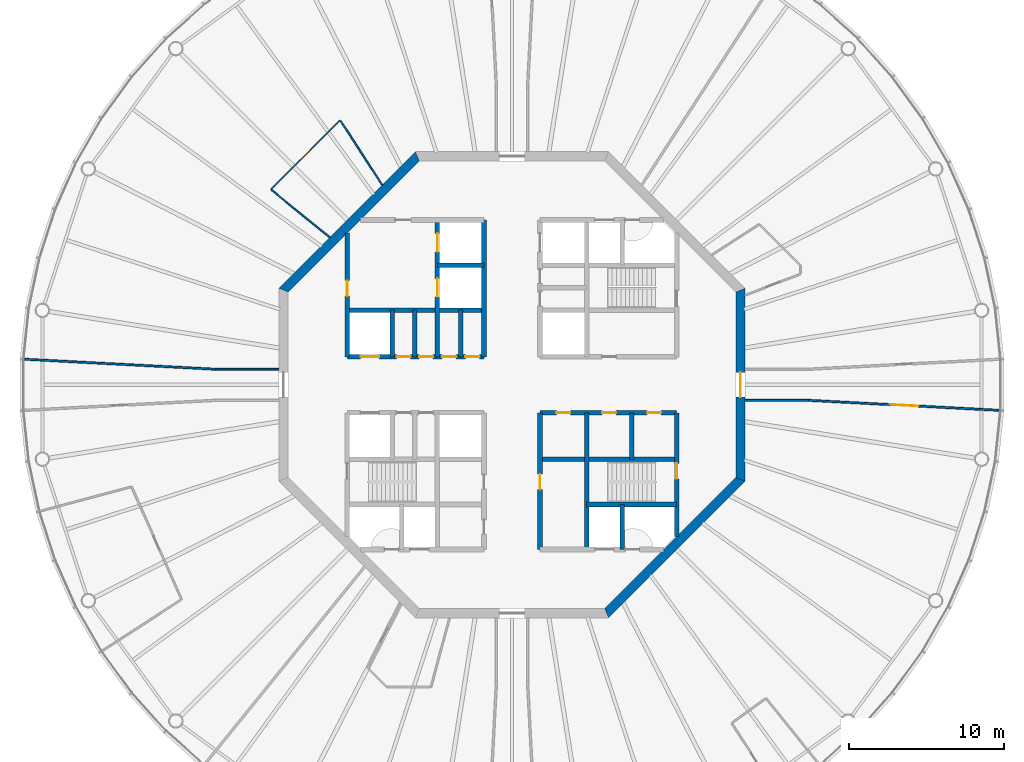
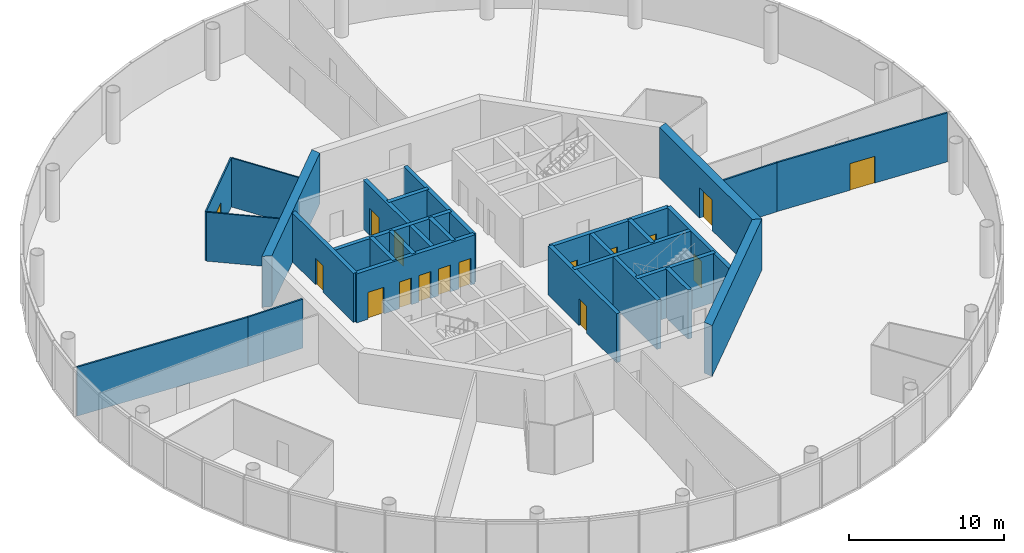
# One storey, part 4 of 13: 27 walls, 16 doors, 16 openings.
"""IFC4 building model written with IfcOpenShell, lengths in metres."""

from ifc_helpers import new_model, si_unit, direction, frame, frame_2d, origin, place, context, subcontext, project, spatial, polyline, rectangle, outline, extrude, material, layer, layer_set, type_object, element, fill, save


model = new_model("IFC4")

# Units and contexts
model_context = context("Model", 3, precision=1e-05, world=origin(), true_north=direction((0.0, 1.0)))
body_context = subcontext(model_context, "Body", "Model", "MODEL_VIEW")
ifc_project = project(units=[si_unit("LENGTHUNIT", "METRE"), si_unit("AREAUNIT", "SQUARE_METRE"), si_unit("VOLUMEUNIT", "CUBIC_METRE"), si_unit("PLANEANGLEUNIT", "RADIAN"), si_unit("MASSUNIT", "GRAM", prefix="KILO")], contexts=[model_context])

# Site, building, storey
site_placement = place(None, origin())
site = spatial("IfcSite", under=ifc_project, at=site_placement, CompositionType="ELEMENT")
building_placement = place(site_placement, origin())
building = spatial("IfcBuilding", under=site, at=building_placement, Name="Entoto Ring Tower", CompositionType="ELEMENT")
storey_placement = place(building_placement, frame((0.0, 0.0, 376.0)))
storey = spatial("IfcBuildingStorey", under=building, at=storey_placement, Name="L87", CompositionType="ELEMENT", Elevation=376.0)

# Wall, opening, door
ifc_material_1 = material(Name="Concrete C40/50", Category="concrete")
ifc_layer_1 = layer(ifc_material_1, 0.300048828125)
ifc_layer_set_1 = layer_set([ifc_layer_1], Name="Concrete C40/50")
wall_type_1 = type_object("IfcWallType", Name="Core enclosure wall 300 mm reinforced concrete", PredefinedType="SOLIDWALL", material=ifc_layer_set_1)
wall_1_placement = place(storey_placement, frame((100.60009765625, 70.2353515625, 0.0), z_axis=(0.0, 0.0, 1.0), x_axis=(0.0, 1.0, 0.0)))
wall_1 = element("IfcWall", 1, at=wall_1_placement, inside=storey, type_object=wall_type_1, Name="wall-L87-001", PredefinedType="SOLIDWALL", context=body_context, shape_type="SweptSolid", body=[
    extrude(rectangle(XDim=7.964599609375, YDim=0.300048828125, at=frame_2d((3.982421875, 0.0))), origin(), (0.0, 0.0, 1.0), 3.85009765625),
])
opening_1_placement = place(wall_1_placement, frame((3.714599609375, 0.0, 0.0)))
opening_1 = element("IfcOpeningElement", 2, at=opening_1_placement, cuts=wall_1, Name="Opening K-28", PredefinedType="OPENING", context=body_context, shape_type="SweptSolid", body=[
    extrude(rectangle(XDim=1.0, YDim=2.10009765625, at=frame_2d((0.5, 1.050048828125))), frame((0.0, 0.16015625, 0.0), z_axis=(0.0, -1.0, 0.0), x_axis=(1.0, 0.0, 0.0)), (0.0, 0.0, 1.0), 0.320068359375),
])
ifc_material_2 = material(Name="Steel door leaf, fire rated", Category="steel")
ifc_layer_2 = layer(ifc_material_2, 0.050048828125)
ifc_layer_set_2 = layer_set([ifc_layer_2], Name="Steel door leaf, fire rated")
door_type_1 = type_object("IfcDoorType", Name="Fire door FD60 1000 x 2100 single leaf", OperationType="NOTDEFINED", PredefinedType="DOOR", material=ifc_layer_set_2)
door_1_placement = place(opening_1_placement, origin())
door_1 = element("IfcDoor", 3, at=door_1_placement, inside=storey, type_object=door_type_1, Name="Door K-28", OperationType="SINGLE_SWING_RIGHT", OverallHeight=2.10009765625, OverallWidth=1.0, PredefinedType="DOOR", context=body_context, shape_type="SweptSolid", body=[
    extrude(rectangle(XDim=1.0, YDim=2.10009765625, at=frame_2d((0.5, 1.050048828125))), frame((0.0, 0.02490234375, 0.0), z_axis=(0.0, -1.0, 0.0), x_axis=(1.0, 0.0, 0.0)), (0.0, 0.0, 1.0), 0.050048828125),
])
fill(opening_1, door_1)

# Walls
wall_2_placement = place(storey_placement, frame((97.699951171875, 75.199951171875, 0.0), z_axis=(0.0, 0.0, 1.0), x_axis=(0.0, 1.0, 0.0)))
element("IfcWall", 4, at=wall_2_placement, inside=storey, type_object=wall_type_1, Name="wall-L87-003", PredefinedType="SOLIDWALL", context=body_context, shape_type="SweptSolid", body=[
    extrude(rectangle(XDim=3.0, YDim=0.300048828125, at=frame_2d((1.5, 0.0))), origin(), (0.0, 0.0, 1.0), 3.85009765625),
])
wall_3_placement = place(storey_placement, frame((97.10009765625, 69.39990234375, 0.0), z_axis=(0.0, 0.0, 1.0), x_axis=(0.0, 1.0, 0.0)))
element("IfcWall", 5, at=wall_3_placement, inside=storey, type_object=wall_type_1, Name="wall-L87-004", PredefinedType="SOLIDWALL", context=body_context, shape_type="SweptSolid", body=[
    extrude(rectangle(XDim=2.900146484375, YDim=0.300048828125, at=frame_2d((1.4501953125, 0.0))), origin(), (0.0, 0.0, 1.0), 3.85009765625),
])
wall_4_placement = place(storey_placement, frame((94.800048828125, 69.39990234375, 0.0), z_axis=(0.0, 0.0, 1.0), x_axis=(0.0, 1.0, 0.0)))
element("IfcWall", 6, at=wall_4_placement, inside=storey, type_object=wall_type_1, Name="wall-L87-006", PredefinedType="SOLIDWALL", context=body_context, shape_type="SweptSolid", body=[
    extrude(rectangle(XDim=8.800048828125, YDim=0.300048828125, at=frame_2d((4.39990234375, 0.0))), origin(), (0.0, 0.0, 1.0), 3.85009765625),
])

# Wall, opening, door
wall_5_placement = place(storey_placement, frame((91.800048828125, 69.39990234375, 0.0), z_axis=(0.0, 0.0, 1.0), x_axis=(0.0, 1.0, 0.0)))
wall_5 = element("IfcWall", 7, at=wall_5_placement, inside=storey, type_object=wall_type_1, Name="wall-L87-008", PredefinedType="SOLIDWALL", context=body_context, shape_type="SweptSolid", body=[
    extrude(rectangle(XDim=8.800048828125, YDim=0.300048828125, at=frame_2d((4.39990234375, 0.0))), origin(), (0.0, 0.0, 1.0), 3.85009765625),
])
opening_2_placement = place(wall_5_placement, frame((3.85009765625, 0.0, 0.0)))
opening_2 = element("IfcOpeningElement", 8, at=opening_2_placement, cuts=wall_5, Name="Opening K-64", PredefinedType="OPENING", context=body_context, shape_type="SweptSolid", body=[
    extrude(rectangle(XDim=1.0, YDim=2.10009765625, at=frame_2d((0.5, 1.050048828125))), frame((0.0, 0.16015625, 0.0), z_axis=(0.0, -1.0, 0.0), x_axis=(1.0, 0.0, 0.0)), (0.0, 0.0, 1.0), 0.320068359375),
])
ifc_material_3 = material(Name="Steel door leaf, fire rated", Category="steel")
ifc_layer_3 = layer(ifc_material_3, 0.050048828125)
ifc_layer_set_3 = layer_set([ifc_layer_3], Name="Steel door leaf, fire rated")
door_type_2 = type_object("IfcDoorType", Name="Accessible door 1000 x 2100 single leaf", OperationType="NOTDEFINED", PredefinedType="DOOR", material=ifc_layer_set_3)
door_2_placement = place(opening_2_placement, frame((1.0, 0.0, 0.0), z_axis=(0.0, 0.0, 1.0), x_axis=(-1.0, 0.0, 0.0)))
door_2 = element("IfcDoor", 9, at=door_2_placement, inside=storey, type_object=door_type_2, Name="Door K-64", OperationType="SINGLE_SWING_LEFT", OverallHeight=2.10009765625, OverallWidth=1.0, PredefinedType="DOOR", context=body_context, shape_type="SweptSolid", body=[
    extrude(rectangle(XDim=1.0, YDim=2.10009765625, at=frame_2d((0.5, 1.050048828125))), frame((0.0, 0.02490234375, 0.0), z_axis=(0.0, -1.0, 0.0), x_axis=(1.0, 0.0, 0.0)), (0.0, 0.0, 1.0), 0.050048828125),
])
fill(opening_2, door_2)

# Walls
wall_6_placement = place(storey_placement, frame((88.199951171875, 81.800048828125, 0.0), z_axis=(0.0, 0.0, 1.0), x_axis=(0.0, 1.0, 0.0)))
element("IfcWall", 10, at=wall_6_placement, inside=storey, type_object=wall_type_1, Name="wall-L87-011", PredefinedType="SOLIDWALL", context=body_context, shape_type="SweptSolid", body=[
    extrude(rectangle(XDim=8.800048828125, YDim=0.300048828125, at=frame_2d((4.39990234375, 0.0))), origin(), (0.0, 0.0, 1.0), 3.85009765625),
])
wall_7_placement = place(storey_placement, frame((86.699951171875, 81.800048828125, 0.0), z_axis=(0.0, 0.0, 1.0), x_axis=(0.0, 1.0, 0.0)))
element("IfcWall", 11, at=wall_7_placement, inside=storey, type_object=wall_type_1, Name="wall-L87-012", PredefinedType="SOLIDWALL", context=body_context, shape_type="SweptSolid", body=[
    extrude(rectangle(XDim=3.0, YDim=0.300048828125, at=frame_2d((1.5, 0.0))), origin(), (0.0, 0.0, 1.0), 3.85009765625),
])

# Wall, openings, doors
wall_8_placement = place(storey_placement, frame((85.199951171875, 81.800048828125, 0.0), z_axis=(0.0, 0.0, 1.0), x_axis=(0.0, 1.0, 0.0)))
wall_8 = element("IfcWall", 12, at=wall_8_placement, inside=storey, type_object=wall_type_1, Name="wall-L87-014", PredefinedType="SOLIDWALL", context=body_context, shape_type="SweptSolid", body=[
    extrude(rectangle(XDim=8.800048828125, YDim=0.300048828125, at=frame_2d((4.39990234375, 0.0))), origin(), (0.0, 0.0, 1.0), 3.85009765625),
])
opening_3_placement = place(wall_8_placement, frame((3.85009765625, 0.0, 0.0)))
opening_3 = element("IfcOpeningElement", 13, at=opening_3_placement, cuts=wall_8, Name="Opening LD", PredefinedType="OPENING", context=body_context, shape_type="SweptSolid", body=[
    extrude(rectangle(XDim=1.199951171875, YDim=2.10009765625, at=frame_2d((0.60009765625, 1.050048828125))), frame((0.0, 0.16015625, 0.0), z_axis=(0.0, -1.0, 0.0), x_axis=(1.0, 0.0, 0.0)), (0.0, 0.0, 1.0), 0.320068359375),
])
opening_4_placement = place(wall_8_placement, frame((6.75, 0.0, 0.0)))
opening_4 = element("IfcOpeningElement", 14, at=opening_4_placement, cuts=wall_8, Name="Opening LD", PredefinedType="OPENING", context=body_context, shape_type="SweptSolid", body=[
    extrude(rectangle(XDim=1.199951171875, YDim=2.10009765625, at=frame_2d((0.60009765625, 1.050048828125))), frame((0.0, 0.16015625, 0.0), z_axis=(0.0, -1.0, 0.0), x_axis=(1.0, 0.0, 0.0)), (0.0, 0.0, 1.0), 0.320068359375),
])
ifc_material_4 = material(Name="Steel and glass door leaf", Category="steel")
ifc_layer_4 = layer(ifc_material_4, 0.050048828125)
ifc_layer_set_4 = layer_set([ifc_layer_4], Name="Steel and glass door leaf")
door_type_3 = type_object("IfcDoorType", Name="Landing door 1200 x 2100 sliding", OperationType="DOUBLE_DOOR_SLIDING", PredefinedType="DOOR", material=ifc_layer_set_4)
door_3_placement = place(opening_3_placement, origin())
door_3 = element("IfcDoor", 15, at=door_3_placement, inside=storey, type_object=door_type_3, Name="Landing door FF1", OperationType="SLIDING_TO_RIGHT", OverallHeight=2.10009765625, OverallWidth=1.199951171875, PredefinedType="DOOR", context=body_context, shape_type="SweptSolid", body=[
    extrude(rectangle(XDim=1.199951171875, YDim=2.10009765625, at=frame_2d((0.60009765625, 1.050048828125))), frame((0.0, 0.02490234375, 0.0), z_axis=(0.0, -1.0, 0.0), x_axis=(1.0, 0.0, 0.0)), (0.0, 0.0, 1.0), 0.050048828125),
])
fill(opening_3, door_3)
door_4_placement = place(opening_4_placement, origin())
door_4 = element("IfcDoor", 16, at=door_4_placement, inside=storey, type_object=door_type_3, Name="Landing door FF2", OperationType="SLIDING_TO_RIGHT", OverallHeight=2.10009765625, OverallWidth=1.199951171875, PredefinedType="DOOR", context=body_context, shape_type="SweptSolid", body=[
    extrude(rectangle(XDim=1.199951171875, YDim=2.10009765625, at=frame_2d((0.60009765625, 1.050048828125))), frame((0.0, 0.02490234375, 0.0), z_axis=(0.0, -1.0, 0.0), x_axis=(1.0, 0.0, 0.0)), (0.0, 0.0, 1.0), 0.050048828125),
])
fill(opening_4, door_4)

# Walls
for number, where, z_axis, x_axis, name in (
    (17, (83.75, 81.800048828125, 0.0), (0.0, 0.0, 1.0), (0.0, 1.0, 0.0), "wall-L87-016"),
    (18, (82.300048828125, 81.800048828125, 0.0), (0.0, 0.0, 1.0), (0.0, 1.0, 0.0), "wall-L87-019"),
):
    element("IfcWall", number, at=place(storey_placement, frame(where, z_axis=z_axis, x_axis=x_axis)), inside=storey, type_object=wall_type_1, Name=name, PredefinedType="SOLIDWALL", context=body_context, shape_type="SweptSolid", body=[
        extrude(rectangle(XDim=3.0, YDim=0.300048828125, at=frame_2d((1.5, 0.0))), origin(), (0.0, 0.0, 1.0), 3.85009765625),
    ])

# Wall, opening, door
wall_9_placement = place(storey_placement, frame((79.39990234375, 81.800048828125, 0.0), z_axis=(0.0, 0.0, 1.0), x_axis=(0.0, 1.0, 0.0)))
wall_9 = element("IfcWall", 19, at=wall_9_placement, inside=storey, type_object=wall_type_1, Name="wall-L87-021", PredefinedType="SOLIDWALL", context=body_context, shape_type="SweptSolid", body=[
    extrude(rectangle(XDim=7.964599609375, YDim=0.300048828125, at=frame_2d((3.982421875, 0.0))), origin(), (0.0, 0.0, 1.0), 3.85009765625),
])
opening_5_placement = place(wall_9_placement, frame((3.89990234375, 0.0, 0.0)))
opening_5 = element("IfcOpeningElement", 20, at=opening_5_placement, cuts=wall_9, Name="Opening K-86", PredefinedType="OPENING", context=body_context, shape_type="SweptSolid", body=[
    extrude(rectangle(XDim=1.0, YDim=2.10009765625, at=frame_2d((0.5, 1.050048828125))), frame((0.0, 0.16015625, 0.0), z_axis=(0.0, -1.0, 0.0), x_axis=(1.0, 0.0, 0.0)), (0.0, 0.0, 1.0), 0.320068359375),
])
door_5_placement = place(opening_5_placement, frame((1.0, 0.0, 0.0), z_axis=(0.0, 0.0, 1.0), x_axis=(-1.0, 0.0, 0.0)))
door_5 = element("IfcDoor", 21, at=door_5_placement, inside=storey, type_object=door_type_1, Name="Door K-86", OperationType="SINGLE_SWING_RIGHT", OverallHeight=2.10009765625, OverallWidth=1.0, PredefinedType="DOOR", context=body_context, shape_type="SweptSolid", body=[
    extrude(rectangle(XDim=1.0, YDim=2.10009765625, at=frame_2d((0.5, 1.050048828125))), frame((0.0, 0.02490234375, 0.0), z_axis=(0.0, -1.0, 0.0), x_axis=(1.0, 0.0, 0.0)), (0.0, 0.0, 1.0), 0.050048828125),
])
fill(opening_5, door_5)

# Walls
wall_10_placement = place(storey_placement, frame((94.800048828125, 72.300048828125, 0.0), z_axis=(0.0, 0.0, 1.0), x_axis=(1.0, 0.0, 0.0)))
element("IfcWall", 22, at=wall_10_placement, inside=storey, type_object=wall_type_1, Name="wall-L87-025", PredefinedType="SOLIDWALL", context=body_context, shape_type="SweptSolid", body=[
    extrude(rectangle(XDim=5.800048828125, YDim=0.300048828125, at=frame_2d((2.89990234375, 0.0))), origin(), (0.0, 0.0, 1.0), 3.85009765625),
])
wall_11_placement = place(storey_placement, frame((91.800048828125, 75.199951171875, 0.0), z_axis=(0.0, 0.0, 1.0), x_axis=(1.0, 0.0, 0.0)))
element("IfcWall", 23, at=wall_11_placement, inside=storey, type_object=wall_type_1, Name="wall-L87-027", PredefinedType="SOLIDWALL", context=body_context, shape_type="SweptSolid", body=[
    extrude(rectangle(XDim=8.800048828125, YDim=0.300048828125, at=frame_2d((4.39990234375, 0.0))), origin(), (0.0, 0.0, 1.0), 3.85009765625),
])

# Wall, openings, doors
wall_12_placement = place(storey_placement, frame((91.800048828125, 78.199951171875, 0.0), z_axis=(0.0, 0.0, 1.0), x_axis=(1.0, 0.0, 0.0)))
wall_12 = element("IfcWall", 24, at=wall_12_placement, inside=storey, type_object=wall_type_1, Name="wall-L87-029", PredefinedType="SOLIDWALL", context=body_context, shape_type="SweptSolid", body=[
    extrude(rectangle(XDim=8.800048828125, YDim=0.300048828125, at=frame_2d((4.39990234375, 0.0))), origin(), (0.0, 0.0, 1.0), 3.85009765625),
])
opening_6_placement = place(wall_12_placement, frame((4.0, 0.0, 0.0)))
opening_6 = element("IfcOpeningElement", 25, at=opening_6_placement, cuts=wall_12, Name="Opening K-14", PredefinedType="OPENING", context=body_context, shape_type="SweptSolid", body=[
    extrude(rectangle(XDim=0.89990234375, YDim=2.10009765625, at=frame_2d((0.449951171875, 1.050048828125))), frame((0.0, 0.16015625, 0.0), z_axis=(0.0, -1.0, 0.0), x_axis=(1.0, 0.0, 0.0)), (0.0, 0.0, 1.0), 0.320068359375),
])
opening_7_placement = place(wall_12_placement, frame((6.89990234375, 0.0, 0.0)))
opening_7 = element("IfcOpeningElement", 26, at=opening_7_placement, cuts=wall_12, Name="Opening K-15", PredefinedType="OPENING", context=body_context, shape_type="SweptSolid", body=[
    extrude(rectangle(XDim=0.89990234375, YDim=2.10009765625, at=frame_2d((0.449951171875, 1.050048828125))), frame((0.0, 0.16015625, 0.0), z_axis=(0.0, -1.0, 0.0), x_axis=(1.0, 0.0, 0.0)), (0.0, 0.0, 1.0), 0.320068359375),
])
opening_8_placement = place(wall_12_placement, frame((1.050048828125, 0.0, 0.0)))
opening_8 = element("IfcOpeningElement", 27, at=opening_8_placement, cuts=wall_12, Name="Opening K-25", PredefinedType="OPENING", context=body_context, shape_type="SweptSolid", body=[
    extrude(rectangle(XDim=0.89990234375, YDim=2.10009765625, at=frame_2d((0.449951171875, 1.050048828125))), frame((0.0, 0.16015625, 0.0), z_axis=(0.0, -1.0, 0.0), x_axis=(1.0, 0.0, 0.0)), (0.0, 0.0, 1.0), 0.320068359375),
])
ifc_material_5 = material(Name="Steel door leaf, fire rated", Category="steel")
ifc_layer_5 = layer(ifc_material_5, 0.050048828125)
ifc_layer_set_5 = layer_set([ifc_layer_5], Name="Steel door leaf, fire rated")
door_type_4 = type_object("IfcDoorType", Name="Core door 900 x 2100 single leaf", OperationType="NOTDEFINED", PredefinedType="DOOR", material=ifc_layer_set_5)
door_6_placement = place(opening_6_placement, frame((0.89990234375, 0.0, 0.0), z_axis=(0.0, 0.0, 1.0), x_axis=(-1.0, 0.0, 0.0)))
door_6 = element("IfcDoor", 28, at=door_6_placement, inside=storey, type_object=door_type_4, Name="Door K-14", OperationType="SINGLE_SWING_RIGHT", OverallHeight=2.10009765625, OverallWidth=0.89990234375, PredefinedType="DOOR", context=body_context, shape_type="SweptSolid", body=[
    extrude(rectangle(XDim=0.89990234375, YDim=2.10009765625, at=frame_2d((0.449951171875, 1.050048828125))), frame((0.0, 0.02490234375, 0.0), z_axis=(0.0, -1.0, 0.0), x_axis=(1.0, 0.0, 0.0)), (0.0, 0.0, 1.0), 0.050048828125),
])
fill(opening_6, door_6)
door_7_placement = place(opening_7_placement, frame((0.89990234375, 0.0, 0.0), z_axis=(0.0, 0.0, 1.0), x_axis=(-1.0, 0.0, 0.0)))
door_7 = element("IfcDoor", 29, at=door_7_placement, inside=storey, type_object=door_type_4, Name="Door K-15", OperationType="SINGLE_SWING_LEFT", OverallHeight=2.10009765625, OverallWidth=0.89990234375, PredefinedType="DOOR", context=body_context, shape_type="SweptSolid", body=[
    extrude(rectangle(XDim=0.89990234375, YDim=2.10009765625, at=frame_2d((0.449951171875, 1.050048828125))), frame((0.0, 0.02490234375, 0.0), z_axis=(0.0, -1.0, 0.0), x_axis=(1.0, 0.0, 0.0)), (0.0, 0.0, 1.0), 0.050048828125),
])
fill(opening_7, door_7)
door_8_placement = place(opening_8_placement, frame((0.89990234375, 0.0, 0.0), z_axis=(0.0, 0.0, 1.0), x_axis=(-1.0, 0.0, 0.0)))
door_8 = element("IfcDoor", 30, at=door_8_placement, inside=storey, type_object=door_type_4, Name="Door K-25", OperationType="SINGLE_SWING_RIGHT", OverallHeight=2.10009765625, OverallWidth=0.89990234375, PredefinedType="DOOR", context=body_context, shape_type="SweptSolid", body=[
    extrude(rectangle(XDim=0.89990234375, YDim=2.10009765625, at=frame_2d((0.449951171875, 1.050048828125))), frame((0.0, 0.02490234375, 0.0), z_axis=(0.0, -1.0, 0.0), x_axis=(1.0, 0.0, 0.0)), (0.0, 0.0, 1.0), 0.050048828125),
])
fill(opening_8, door_8)

wall_13_placement = place(storey_placement, frame((79.39990234375, 81.800048828125, 0.0), z_axis=(0.0, 0.0, 1.0), x_axis=(1.0, 0.0, 0.0)))
wall_13 = element("IfcWall", 31, at=wall_13_placement, inside=storey, type_object=wall_type_1, Name="wall-L87-030", PredefinedType="SOLIDWALL", context=body_context, shape_type="SweptSolid", body=[
    extrude(rectangle(XDim=8.800048828125, YDim=0.300048828125, at=frame_2d((4.39990234375, 0.0))), origin(), (0.0, 0.0, 1.0), 3.85009765625),
])
opening_9_placement = place(wall_13_placement, frame((0.85009765625, 0.0, 0.0)))
opening_9 = element("IfcOpeningElement", 32, at=opening_9_placement, cuts=wall_13, Name="Opening LD", PredefinedType="OPENING", context=body_context, shape_type="SweptSolid", body=[
    extrude(rectangle(XDim=1.199951171875, YDim=2.10009765625, at=frame_2d((0.60009765625, 1.050048828125))), frame((0.0, 0.16015625, 0.0), z_axis=(0.0, -1.0, 0.0), x_axis=(1.0, 0.0, 0.0)), (0.0, 0.0, 1.0), 0.320068359375),
])
opening_10_placement = place(wall_13_placement, frame((3.175048828125, 0.0, 0.0)))
opening_10 = element("IfcOpeningElement", 33, at=opening_10_placement, cuts=wall_13, Name="Opening K-12", PredefinedType="OPENING", context=body_context, shape_type="SweptSolid", body=[
    extrude(rectangle(XDim=0.89990234375, YDim=2.10009765625, at=frame_2d((0.449951171875, 1.050048828125))), frame((0.0, 0.16015625, 0.0), z_axis=(0.0, -1.0, 0.0), x_axis=(1.0, 0.0, 0.0)), (0.0, 0.0, 1.0), 0.320068359375),
])
opening_11_placement = place(wall_13_placement, frame((4.625, 0.0, 0.0)))
opening_11 = element("IfcOpeningElement", 34, at=opening_11_placement, cuts=wall_13, Name="Opening K-46", PredefinedType="OPENING", context=body_context, shape_type="SweptSolid", body=[
    extrude(rectangle(XDim=0.89990234375, YDim=2.10009765625, at=frame_2d((0.449951171875, 1.050048828125))), frame((0.0, 0.16015625, 0.0), z_axis=(0.0, -1.0, 0.0), x_axis=(1.0, 0.0, 0.0)), (0.0, 0.0, 1.0), 0.320068359375),
])
opening_12_placement = place(wall_13_placement, frame((6.10009765625, 0.0, 0.0)))
opening_12 = element("IfcOpeningElement", 35, at=opening_12_placement, cuts=wall_13, Name="Opening K-71", PredefinedType="OPENING", context=body_context, shape_type="SweptSolid", body=[
    extrude(rectangle(XDim=0.89990234375, YDim=2.10009765625, at=frame_2d((0.449951171875, 1.050048828125))), frame((0.0, 0.16015625, 0.0), z_axis=(0.0, -1.0, 0.0), x_axis=(1.0, 0.0, 0.0)), (0.0, 0.0, 1.0), 0.320068359375),
])
opening_13_placement = place(wall_13_placement, frame((7.60009765625, 0.0, 0.0)))
opening_13 = element("IfcOpeningElement", 36, at=opening_13_placement, cuts=wall_13, Name="Opening K-24", PredefinedType="OPENING", context=body_context, shape_type="SweptSolid", body=[
    extrude(rectangle(XDim=0.89990234375, YDim=2.10009765625, at=frame_2d((0.449951171875, 1.050048828125))), frame((0.0, 0.16015625, 0.0), z_axis=(0.0, -1.0, 0.0), x_axis=(1.0, 0.0, 0.0)), (0.0, 0.0, 1.0), 0.320068359375),
])
door_9_placement = place(opening_10_placement, origin())
door_9 = element("IfcDoor", 37, at=door_9_placement, inside=storey, type_object=door_type_4, Name="Door K-12", OperationType="SINGLE_SWING_RIGHT", OverallHeight=2.10009765625, OverallWidth=0.89990234375, PredefinedType="DOOR", context=body_context, shape_type="SweptSolid", body=[
    extrude(rectangle(XDim=0.89990234375, YDim=2.10009765625, at=frame_2d((0.449951171875, 1.050048828125))), frame((0.0, 0.02490234375, 0.0), z_axis=(0.0, -1.0, 0.0), x_axis=(1.0, 0.0, 0.0)), (0.0, 0.0, 1.0), 0.050048828125),
])
fill(opening_10, door_9)
door_10_placement = place(opening_11_placement, origin())
door_10 = element("IfcDoor", 38, at=door_10_placement, inside=storey, type_object=door_type_4, Name="Door K-46", OperationType="SINGLE_SWING_RIGHT", OverallHeight=2.10009765625, OverallWidth=0.89990234375, PredefinedType="DOOR", context=body_context, shape_type="SweptSolid", body=[
    extrude(rectangle(XDim=0.89990234375, YDim=2.10009765625, at=frame_2d((0.449951171875, 1.050048828125))), frame((0.0, 0.02490234375, 0.0), z_axis=(0.0, -1.0, 0.0), x_axis=(1.0, 0.0, 0.0)), (0.0, 0.0, 1.0), 0.050048828125),
])
fill(opening_11, door_10)
door_11_placement = place(opening_12_placement, origin())
door_11 = element("IfcDoor", 39, at=door_11_placement, inside=storey, type_object=door_type_4, Name="Door K-71", OperationType="SINGLE_SWING_LEFT", OverallHeight=2.10009765625, OverallWidth=0.89990234375, PredefinedType="DOOR", context=body_context, shape_type="SweptSolid", body=[
    extrude(rectangle(XDim=0.89990234375, YDim=2.10009765625, at=frame_2d((0.449951171875, 1.050048828125))), frame((0.0, 0.02490234375, 0.0), z_axis=(0.0, -1.0, 0.0), x_axis=(1.0, 0.0, 0.0)), (0.0, 0.0, 1.0), 0.050048828125),
])
fill(opening_12, door_11)
door_12_placement = place(opening_13_placement, origin())
door_12 = element("IfcDoor", 40, at=door_12_placement, inside=storey, type_object=door_type_4, Name="Door K-24", OperationType="SINGLE_SWING_LEFT", OverallHeight=2.10009765625, OverallWidth=0.89990234375, PredefinedType="DOOR", context=body_context, shape_type="SweptSolid", body=[
    extrude(rectangle(XDim=0.89990234375, YDim=2.10009765625, at=frame_2d((0.449951171875, 1.050048828125))), frame((0.0, 0.02490234375, 0.0), z_axis=(0.0, -1.0, 0.0), x_axis=(1.0, 0.0, 0.0)), (0.0, 0.0, 1.0), 0.050048828125),
])
fill(opening_13, door_12)
door_13_placement = place(opening_9_placement, origin())
door_13 = element("IfcDoor", 41, at=door_13_placement, inside=storey, type_object=door_type_3, Name="Landing door SH1", OperationType="SLIDING_TO_RIGHT", OverallHeight=2.10009765625, OverallWidth=1.199951171875, PredefinedType="DOOR", context=body_context, shape_type="SweptSolid", body=[
    extrude(rectangle(XDim=1.199951171875, YDim=2.10009765625, at=frame_2d((0.60009765625, 1.050048828125))), frame((0.0, 0.02490234375, 0.0), z_axis=(0.0, -1.0, 0.0), x_axis=(1.0, 0.0, 0.0)), (0.0, 0.0, 1.0), 0.050048828125),
])
fill(opening_9, door_13)

# Walls
wall_14_placement = place(storey_placement, frame((79.39990234375, 84.800048828125, 0.0), z_axis=(0.0, 0.0, 1.0), x_axis=(1.0, 0.0, 0.0)))
element("IfcWall", 42, at=wall_14_placement, inside=storey, type_object=wall_type_1, Name="wall-L87-032", PredefinedType="SOLIDWALL", context=body_context, shape_type="SweptSolid", body=[
    extrude(rectangle(XDim=8.800048828125, YDim=0.300048828125, at=frame_2d((4.39990234375, 0.0))), origin(), (0.0, 0.0, 1.0), 3.85009765625),
])
wall_15_placement = place(storey_placement, frame((85.199951171875, 87.699951171875, 0.0), z_axis=(0.0, 0.0, 1.0), x_axis=(1.0, 0.0, 0.0)))
element("IfcWall", 43, at=wall_15_placement, inside=storey, type_object=wall_type_1, Name="wall-L87-035", PredefinedType="SOLIDWALL", context=body_context, shape_type="SweptSolid", body=[
    extrude(rectangle(XDim=3.0, YDim=0.300048828125, at=frame_2d((1.5, 0.0))), origin(), (0.0, 0.0, 1.0), 3.85009765625),
])

# Wall, opening, door
ifc_material_6 = material(Name="Concrete C40/50", Category="concrete")
ifc_layer_6 = layer(ifc_material_6, 0.60009765625)
ifc_layer_set_6 = layer_set([ifc_layer_6], Name="Concrete C40/50")
wall_type_2 = type_object("IfcWallType", Name="Core shear wall 600 mm reinforced concrete C40/50", PredefinedType="SHEAR", material=ifc_layer_set_6)
wall_16_placement = place(storey_placement, frame((104.699951171875, 73.9111328125, 0.0), z_axis=(0.0, 0.0, 1.0), x_axis=(0.0, 1.0, 0.0)))
wall_16 = element("IfcWall", 44, at=wall_16_placement, inside=storey, type_object=wall_type_2, Name="wall-L87-core-0", PredefinedType="SHEAR", context=body_context, shape_type="SweptSolid", body=[
    extrude(outline(polyline([(-0.124267578125, -0.300048828125), (12.302001953125, -0.300048828125), (12.053466796875, 0.300048828125), (0.124267578125, 0.300048828125), (-0.124267578125, -0.300048828125)])), origin(), (0.0, 0.0, 1.0), 4.0),
])
opening_14_placement = place(wall_16_placement, frame((5.288818359375, 0.0, 0.0)))
opening_14 = element("IfcOpeningElement", 45, at=opening_14_placement, cuts=wall_16, Name="Opening K-01", PredefinedType="OPENING", context=body_context, shape_type="SweptSolid", body=[
    extrude(rectangle(XDim=1.60009765625, YDim=2.39990234375, at=frame_2d((0.800048828125, 1.199951171875))), frame((0.0, 0.31005859375, 0.0), z_axis=(0.0, -1.0, 0.0), x_axis=(1.0, 0.0, 0.0)), (0.0, 0.0, 1.0), 0.6201171875),
])
ifc_material_7 = material(Name="Steel door leaf, fire rated", Category="steel")
ifc_layer_7 = layer(ifc_material_7, 0.050048828125)
ifc_layer_set_7 = layer_set([ifc_layer_7], Name="Steel door leaf, fire rated")
door_type_5 = type_object("IfcDoorType", Name="Entrance door FD60 1600 x 2400 double leaf", OperationType="DOUBLE_DOOR_SINGLE_SWING", PredefinedType="DOOR", material=ifc_layer_set_7)
door_14_placement = place(opening_14_placement, origin())
door_14 = element("IfcDoor", 46, at=door_14_placement, inside=storey, type_object=door_type_5, Name="Entrance door K-01", OperationType="DOUBLE_DOOR_SINGLE_SWING", OverallHeight=2.39990234375, OverallWidth=1.60009765625, PredefinedType="DOOR", context=body_context, shape_type="SweptSolid", body=[
    extrude(rectangle(XDim=1.60009765625, YDim=2.39990234375, at=frame_2d((0.800048828125, 1.199951171875))), frame((0.0, 0.02490234375, 0.0), z_axis=(0.0, -1.0, 0.0), x_axis=(1.0, 0.0, 0.0)), (0.0, 0.0, 1.0), 0.050048828125),
])
fill(opening_14, door_14)

# Walls
for number, where, z_axis, x_axis, name in (
    (47, (83.9111328125, 94.699951171875, 0.0), (0.0, 0.0, 1.0), (-0.707106781187, -0.707106781187, 0.0), "wall-L87-core-3"),
    (48, (96.0888671875, 65.300048828125, 0.0), (0.0, 0.0, 1.0), (0.707106781187, 0.707106781187, 0.0), "wall-L87-core-7"),
):
    element("IfcWall", number, at=place(storey_placement, frame(where, z_axis=z_axis, x_axis=x_axis)), inside=storey, type_object=wall_type_2, Name=name, PredefinedType="SHEAR", context=body_context, shape_type="SweptSolid", body=[
        extrude(outline(polyline([(-0.124267578125, -0.300048828125), (12.30224609375, -0.300048828125), (12.0537109375, 0.300048828125), (0.124267578125, 0.300048828125), (-0.124267578125, -0.300048828125)])), origin(), (0.0, 0.0, 1.0), 4.0),
    ])
ifc_material_8 = material(Name="Fire-resisting plasterboard on steel studs", Category="steel")
ifc_layer_8 = layer(ifc_material_8, 0.125)
ifc_layer_set_8 = layer_set([ifc_layer_8], Name="Fire-resisting plasterboard on steel studs")
wall_type_3 = type_object("IfcWallType", Name="Corridor wall 125 mm one-hour plasterboard on steel studs", PredefinedType="PARTITIONING", material=ifc_layer_set_8)
wall_17_placement = place(storey_placement, frame((70.9189453125, 81.0, 0.0), z_axis=(0.0, 0.0, 1.0), x_axis=(-0.998629289366, 0.052340638328, 0.0)))
element("IfcWall", 49, at=wall_17_placement, inside=storey, type_object=wall_type_3, Name="partition-L87-002", PredefinedType="PARTITIONING", context=body_context, shape_type="SweptSolid", body=[
    extrude(rectangle(XDim=12.332763671875, YDim=0.125, at=frame_2d((6.16650390625, 0.0))), origin(), (0.0, 0.0, 1.0), 3.85009765625),
])

# Wall, opening, door
wall_18_placement = place(storey_placement, frame((121.39697265625, 78.3544921875, 0.0), z_axis=(0.0, 0.0, 1.0), x_axis=(-0.998629289366, 0.052340638328, 0.0)))
wall_18 = element("IfcWall", 50, at=wall_18_placement, inside=storey, type_object=wall_type_3, Name="partition-L87-008", PredefinedType="PARTITIONING", context=body_context, shape_type="SweptSolid", body=[
    extrude(rectangle(XDim=12.332763671875, YDim=0.125, at=frame_2d((6.16650390625, 0.0))), origin(), (0.0, 0.0, 1.0), 3.85009765625),
])
opening_15_placement = place(wall_18_placement, frame((5.266357421875, 0.0, 0.0)))
opening_15 = element("IfcOpeningElement", 51, at=opening_15_placement, cuts=wall_18, Name="Opening A37-D10", PredefinedType="OPENING", context=body_context, shape_type="SweptSolid", body=[
    extrude(rectangle(XDim=1.800048828125, YDim=2.10009765625, at=frame_2d((0.89990234375, 1.050048828125))), frame((0.0, 0.072509765625, 0.0), z_axis=(0.0, -1.0, 0.0), x_axis=(1.0, 0.0, 0.0)), (0.0, 0.0, 1.0), 0.14501953125),
])
ifc_material_9 = material(Name="Fire-resisting timber door set", Category="wood")
door_type_6 = type_object("IfcDoorType", Name="Door 1800 x 2100 double leaf FD30S fire door", OperationType="DOUBLE_DOOR_SINGLE_SWING", PredefinedType="DOOR", material=ifc_material_9)
door_15_placement = place(opening_15_placement, frame((1.800048828125, 0.0, 0.0), z_axis=(0.0, 0.0, 1.0), x_axis=(-1.0, 0.0, 0.0)))
door_15 = element("IfcDoor", 52, at=door_15_placement, inside=storey, type_object=door_type_6, Name="Door A37-D10", OperationType="DOUBLE_DOOR_SINGLE_SWING", OverallHeight=2.10009765625, OverallWidth=1.800048828125, PredefinedType="DOOR", context=body_context, shape_type="SweptSolid", body=[
    extrude(rectangle(XDim=1.800048828125, YDim=2.10009765625, at=frame_2d((0.89990234375, 1.050048828125))), frame((0.0, 0.02490234375, 0.0), z_axis=(0.0, -1.0, 0.0), x_axis=(1.0, 0.0, 0.0)), (0.0, 0.0, 1.0), 0.050048828125),
])
fill(opening_15, door_15)

# Walls
for number, where, z_axis, x_axis, name in (
    (53, (70.922119140625, 81.0, 0.0), (0.0, 0.0, 1.0), (1.0, 0.0, 0.0), "partition-L87-010"),
    (54, (105.0, 79.0, 0.0), (0.0, 0.0, 1.0), (1.0, 0.0, 0.0), "partition-L87-015"),
):
    element("IfcWall", number, at=place(storey_placement, frame(where, z_axis=z_axis, x_axis=x_axis)), inside=storey, type_object=wall_type_3, Name=name, PredefinedType="PARTITIONING", context=body_context, shape_type="SweptSolid", body=[
        extrude(rectangle(XDim=4.077880859375, YDim=0.125, at=frame_2d((2.0390625, 0.0))), origin(), (0.0, 0.0, 1.0), 3.85009765625),
    ])

# Wall, opening, door
ifc_material_10 = material(Name="Plasterboard on steel studs", Category="steel")
ifc_layer_9 = layer(ifc_material_10, 0.10009765625)
ifc_layer_set_9 = layer_set([ifc_layer_9], Name="Plasterboard on steel studs")
wall_type_4 = type_object("IfcWallType", Name="Partition 100 mm plasterboard on steel studs", PredefinedType="PARTITIONING", material=ifc_layer_set_9)
wall_19_placement = place(storey_placement, frame((74.48095703125, 92.567138671875, 0.0), z_axis=(0.0, 0.0, 1.0), x_axis=(0.707106781187, 0.707106781187, 0.0)))
wall_19 = element("IfcWall", 55, at=wall_19_placement, inside=storey, type_object=wall_type_4, Name="partition-L87-020", PredefinedType="PARTITIONING", context=body_context, shape_type="SweptSolid", body=[
    extrude(rectangle(XDim=6.308837890625, YDim=0.10009765625, at=frame_2d((3.154296875, 0.0))), origin(), (0.0, 0.0, 1.0), 3.85009765625),
])
opening_16_placement = place(wall_19_placement, frame((2.704345703125, 0.0, 0.0)))
opening_16 = element("IfcOpeningElement", 56, at=opening_16_placement, cuts=wall_19, Name="Opening A37-D05", PredefinedType="OPENING", context=body_context, shape_type="SweptSolid", body=[
    extrude(rectangle(XDim=0.89990234375, YDim=2.10009765625, at=frame_2d((0.449951171875, 1.050048828125))), frame((0.0, 0.06005859375, 0.0), z_axis=(0.0, -1.0, 0.0), x_axis=(1.0, 0.0, 0.0)), (0.0, 0.0, 1.0), 0.1201171875),
])
ifc_material_11 = material(Name="Veneered timber door leaf in timber frame", Category="wood")
door_type_7 = type_object("IfcDoorType", Name="Door 900 x 2100 single leaf timber veneer", OperationType="NOTDEFINED", PredefinedType="DOOR", material=ifc_material_11)
door_16_placement = place(opening_16_placement, frame((0.89990234375, 0.0, 0.0), z_axis=(0.0, 0.0, 1.0), x_axis=(-1.0, 0.0, 0.0)))
door_16 = element("IfcDoor", 57, at=door_16_placement, inside=storey, type_object=door_type_7, Name="Door A37-D05", OperationType="SINGLE_SWING_LEFT", OverallHeight=2.10009765625, OverallWidth=0.89990234375, PredefinedType="DOOR", context=body_context, shape_type="SweptSolid", body=[
    extrude(rectangle(XDim=0.89990234375, YDim=2.10009765625, at=frame_2d((0.449951171875, 1.050048828125))), frame((0.0, 0.02490234375, 0.0), z_axis=(0.0, -1.0, 0.0), x_axis=(1.0, 0.0, 0.0)), (0.0, 0.0, 1.0), 0.050048828125),
])
fill(opening_16, door_16)

# Walls
wall_20_placement = place(storey_placement, frame((81.64794921875, 92.861083984375, 0.0), z_axis=(0.0, 0.0, 1.0), x_axis=(-0.544659528562, 0.838657258924, 0.0)))
element("IfcWall", 58, at=wall_20_placement, inside=storey, type_object=wall_type_4, Name="partition-L87-025", PredefinedType="PARTITIONING", context=body_context, shape_type="SweptSolid", body=[
    extrude(rectangle(XDim=4.906982421875, YDim=0.10009765625, at=frame_2d((2.45361328125, 0.0))), origin(), (0.0, 0.0, 1.0), 3.85009765625),
])
wall_21_placement = place(storey_placement, frame((78.278564453125, 89.49169921875, 0.0), z_axis=(0.0, 0.0, 1.0), x_axis=(-0.777137772297, 0.629330503686, 0.0)))
element("IfcWall", 59, at=wall_21_placement, inside=storey, type_object=wall_type_4, Name="partition-L87-026", PredefinedType="PARTITIONING", context=body_context, shape_type="SweptSolid", body=[
    extrude(rectangle(XDim=4.831298828125, YDim=0.10009765625, at=frame_2d((2.41552734375, 0.0))), origin(), (0.0, 0.0, 1.0), 3.85009765625),
])

save(model, "model.ifc")
